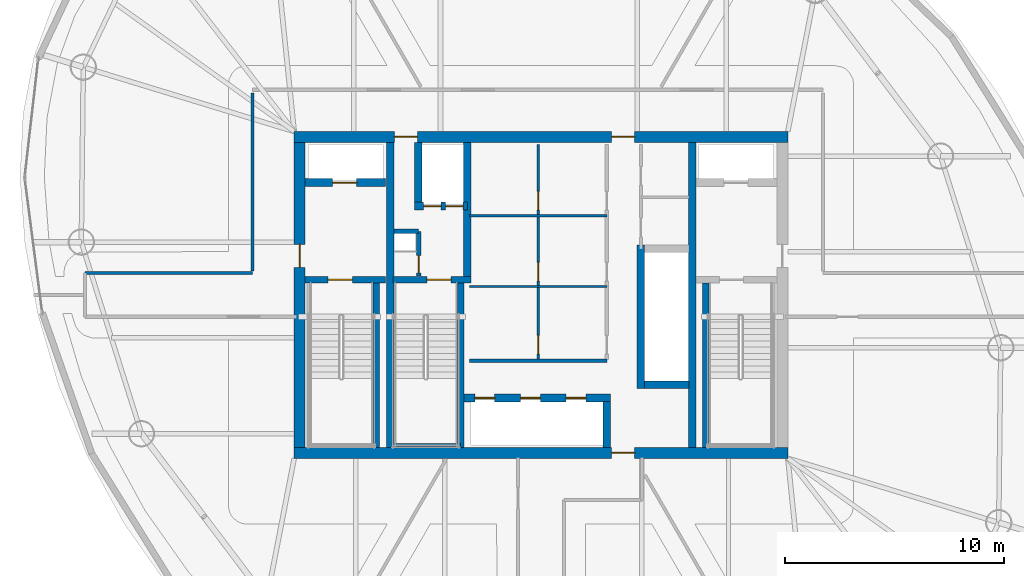
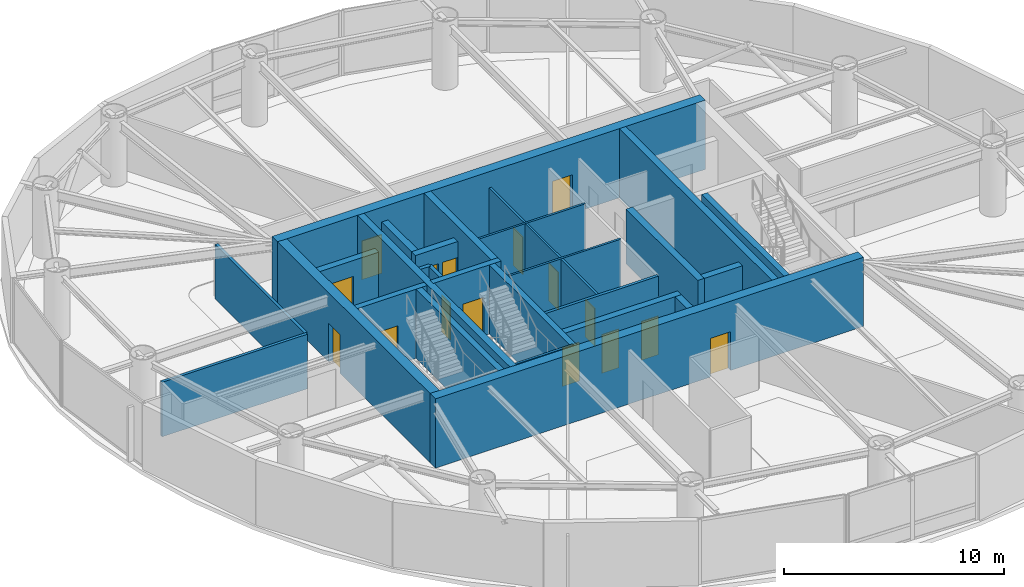
# One storey, part 14 of 20: 27 walls, 16 doors, 16 openings.
"""IFC4 building model written with IfcOpenShell, lengths in metres."""

from ifc_helpers import new_model, si_unit, direction, frame, frame_2d, origin, place, context, subcontext, project, spatial, rectangle, extrude, material, layer, layer_set, type_object, element, fill, save


model = new_model("IFC4")

# Units and contexts
model_context = context("Model", 3, precision=1e-05, world=origin(), true_north=direction((0.0, 1.0)))
body_context = subcontext(model_context, "Body", "Model", "MODEL_VIEW")
ifc_project = project(units=[si_unit("LENGTHUNIT", "METRE"), si_unit("AREAUNIT", "SQUARE_METRE"), si_unit("VOLUMEUNIT", "CUBIC_METRE"), si_unit("PLANEANGLEUNIT", "RADIAN"), si_unit("MASSUNIT", "GRAM", prefix="KILO")], contexts=[model_context])

# Site, building, storey
site_placement = place(None, origin())
site = spatial("IfcSite", under=ifc_project, at=site_placement, CompositionType="ELEMENT")
building_placement = place(site_placement, origin())
building = spatial("IfcBuilding", under=site, at=building_placement, Name="Bramvorn Convention Spire", CompositionType="ELEMENT")
storey_placement = place(building_placement, frame((0.0, 0.0, 175.050048828125)))
storey = spatial("IfcBuildingStorey", under=building, at=storey_placement, Name="L44", CompositionType="ELEMENT", Elevation=175.050048828125)

# Wall, opening, door
ifc_material_1 = material(Name="Concrete C50/60", Category="concrete")
ifc_layer_1 = layer(ifc_material_1, 0.5)
ifc_layer_set_1 = layer_set([ifc_layer_1], Name="Concrete C50/60 - WL-CORE-500")
wall_type_1 = type_object("IfcWallType", Name="WL-CORE-500", PredefinedType="SHEAR", material=ifc_layer_set_1)
wall_1_placement = place(storey_placement, frame((26.75, 18.800048828125, 0.0), z_axis=(0.0, 0.0, 1.0), x_axis=(1.0, 0.0, 0.0)))
wall_1 = element("IfcWall", 1, at=wall_1_placement, inside=storey, type_object=wall_type_1, Name="L44 South RC core shear wall", PredefinedType="SHEAR", context=body_context, shape_type="SweptSolid", body=[
    extrude(rectangle(XDim=22.5, YDim=0.5, at=frame_2d((11.25, 0.0))), origin(), (0.0, 0.0, 1.0), 3.849853515625),
])
opening_1_placement = place(wall_1_placement, frame((14.469970703125, 0.0, 0.0)))
opening_1 = element("IfcOpeningElement", 2, at=opening_1_placement, cuts=wall_1, Name="Opening DL-105", PredefinedType="OPENING", context=body_context, shape_type="SweptSolid", body=[
    extrude(rectangle(XDim=1.050048828125, YDim=2.14990234375, at=frame_2d((0.52490234375, 1.074951171875))), frame((0.0, 0.260009765625, 0.0), z_axis=(0.0, -1.0, 0.0), x_axis=(1.0, 0.0, 0.0)), (0.0, 0.0, 1.0), 0.52001953125),
])
ifc_material_2 = material(Name="Smoke-Sealed Fire Lobby Timber-Core Door", Category="wood")
door_type_1 = type_object("IfcDoorType", Name="DR-LOBBY-1050", OperationType="NOTDEFINED", PredefinedType="DOOR", material=ifc_material_2)
door_1_placement = place(opening_1_placement, origin())
door_1 = element("IfcDoor", 3, at=door_1_placement, inside=storey, type_object=door_type_1, Name="L44 South Lift Lobby fire door", OperationType="SINGLE_SWING_RIGHT", OverallHeight=2.14990234375, OverallWidth=1.050048828125, PredefinedType="DOOR", context=body_context, shape_type="SweptSolid", body=[
    extrude(rectangle(XDim=1.050048828125, YDim=2.14990234375, at=frame_2d((0.52490234375, 1.074951171875))), frame((0.0, 0.02490234375, 0.0), z_axis=(0.0, -1.0, 0.0), x_axis=(1.0, 0.0, 0.0)), (0.0, 0.0, 1.0), 0.050048828125),
])
fill(opening_1, door_1)

# Wall, openings, doors
wall_2_placement = place(storey_placement, frame((26.75, 33.199951171875, 0.0), z_axis=(0.0, 0.0, 1.0), x_axis=(1.0, 0.0, 0.0)))
wall_2 = element("IfcWall", 4, at=wall_2_placement, inside=storey, type_object=wall_type_1, Name="L44 North RC core shear wall", PredefinedType="SHEAR", context=body_context, shape_type="SweptSolid", body=[
    extrude(rectangle(XDim=22.5, YDim=0.5, at=frame_2d((11.25, 0.0))), origin(), (0.0, 0.0, 1.0), 3.849853515625),
])
opening_2_placement = place(wall_2_placement, frame((4.570068359375, 0.0, 0.0)))
opening_2 = element("IfcOpeningElement", 5, at=opening_2_placement, cuts=wall_2, Name="Opening DL-105", PredefinedType="OPENING", context=body_context, shape_type="SweptSolid", body=[
    extrude(rectangle(XDim=1.050048828125, YDim=2.14990234375, at=frame_2d((0.52490234375, 1.074951171875))), frame((0.0, 0.260009765625, 0.0), z_axis=(0.0, -1.0, 0.0), x_axis=(1.0, 0.0, 0.0)), (0.0, 0.0, 1.0), 0.52001953125),
])
opening_3_placement = place(wall_2_placement, frame((14.469970703125, 0.0, 0.0)))
opening_3 = element("IfcOpeningElement", 6, at=opening_3_placement, cuts=wall_2, Name="Opening DL-105", PredefinedType="OPENING", context=body_context, shape_type="SweptSolid", body=[
    extrude(rectangle(XDim=1.050048828125, YDim=2.14990234375, at=frame_2d((0.52490234375, 1.074951171875))), frame((0.0, 0.260009765625, 0.0), z_axis=(0.0, -1.0, 0.0), x_axis=(1.0, 0.0, 0.0)), (0.0, 0.0, 1.0), 0.52001953125),
])
door_2_placement = place(opening_2_placement, origin())
door_2 = element("IfcDoor", 7, at=door_2_placement, inside=storey, type_object=door_type_1, Name="L44 Service & Stair ST3 Lobby north corridor door", OperationType="SINGLE_SWING_LEFT", OverallHeight=2.14990234375, OverallWidth=1.050048828125, PredefinedType="DOOR", context=body_context, shape_type="SweptSolid", body=[
    extrude(rectangle(XDim=1.050048828125, YDim=2.14990234375, at=frame_2d((0.52490234375, 1.074951171875))), frame((0.0, 0.02490234375, 0.0), z_axis=(0.0, -1.0, 0.0), x_axis=(1.0, 0.0, 0.0)), (0.0, 0.0, 1.0), 0.050048828125),
])
fill(opening_2, door_2)
door_3_placement = place(opening_3_placement, origin())
door_3 = element("IfcDoor", 8, at=door_3_placement, inside=storey, type_object=door_type_1, Name="L44 North Lift Lobby fire door", OperationType="SINGLE_SWING_LEFT", OverallHeight=2.14990234375, OverallWidth=1.050048828125, PredefinedType="DOOR", context=body_context, shape_type="SweptSolid", body=[
    extrude(rectangle(XDim=1.050048828125, YDim=2.14990234375, at=frame_2d((0.52490234375, 1.074951171875))), frame((0.0, 0.02490234375, 0.0), z_axis=(0.0, -1.0, 0.0), x_axis=(1.0, 0.0, 0.0)), (0.0, 0.0, 1.0), 0.050048828125),
])
fill(opening_3, door_3)

# Wall, opening, door
wall_3_placement = place(storey_placement, frame((27.0, 19.050048828125, 0.0), z_axis=(0.0, 0.0, 1.0), x_axis=(0.0, 1.0, 0.0)))
wall_3 = element("IfcWall", 9, at=wall_3_placement, inside=storey, type_object=wall_type_1, Name="L44 West RC core shear wall", PredefinedType="SHEAR", context=body_context, shape_type="SweptSolid", body=[
    extrude(rectangle(XDim=13.89990234375, YDim=0.5, at=frame_2d((6.949951171875, 0.0))), origin(), (0.0, 0.0, 1.0), 3.849853515625),
])
opening_4_placement = place(wall_3_placement, frame((8.199951171875, 0.0, 0.0)))
opening_4 = element("IfcOpeningElement", 10, at=opening_4_placement, cuts=wall_3, Name="Opening DL-105", PredefinedType="OPENING", context=body_context, shape_type="SweptSolid", body=[
    extrude(rectangle(XDim=1.050048828125, YDim=2.14990234375, at=frame_2d((0.52490234375, 1.074951171875))), frame((0.0, 0.260009765625, 0.0), z_axis=(0.0, -1.0, 0.0), x_axis=(1.0, 0.0, 0.0)), (0.0, 0.0, 1.0), 0.52001953125),
])
door_4_placement = place(opening_4_placement, origin())
door_4 = element("IfcDoor", 11, at=door_4_placement, inside=storey, type_object=door_type_1, Name="L44 West Firefighting Lobby corridor door", OperationType="SINGLE_SWING_RIGHT", OverallHeight=2.14990234375, OverallWidth=1.050048828125, PredefinedType="DOOR", context=body_context, shape_type="SweptSolid", body=[
    extrude(rectangle(XDim=1.050048828125, YDim=2.14990234375, at=frame_2d((0.52490234375, 1.074951171875))), frame((0.0, 0.02490234375, 0.0), z_axis=(0.0, -1.0, 0.0), x_axis=(1.0, 0.0, 0.0)), (0.0, 0.0, 1.0), 0.050048828125),
])
fill(opening_4, door_4)

# Walls
ifc_layer_2 = layer(ifc_material_1, 0.35009765625)
ifc_layer_set_2 = layer_set([ifc_layer_2], Name="Concrete C50/60 - WL-CORE-INT-350")
wall_type_2 = type_object("IfcWallType", Name="WL-CORE-INT-350", PredefinedType="SHEAR", material=ifc_layer_set_2)
for number, where, z_axis, x_axis, name in (
    (12, (31.1298828125, 19.050048828125, 0.0), (0.0, 0.0, 1.0), (0.0, 1.0, 0.0), "L44 West internal core shear web"),
    (13, (44.89990234375, 19.050048828125, 0.0), (0.0, 0.0, 1.0), (0.0, 1.0, 0.0), "L44 East internal core shear web"),
):
    element("IfcWall", number, at=place(storey_placement, frame(where, z_axis=z_axis, x_axis=x_axis)), inside=storey, type_object=wall_type_2, Name=name, PredefinedType="SHEAR", context=body_context, shape_type="SweptSolid", body=[
        extrude(rectangle(XDim=13.89990234375, YDim=0.35009765625, at=frame_2d((6.949951171875, 0.0))), origin(), (0.0, 0.0, 1.0), 3.849853515625),
    ])

# Wall, opening, door
wall_4_placement = place(storey_placement, frame((27.25, 31.1201171875, 0.0), z_axis=(0.0, 0.0, 1.0), x_axis=(1.0, 0.0, 0.0)))
wall_4 = element("IfcWall", 14, at=wall_4_placement, inside=storey, type_object=wall_type_2, Name="L44 FE1 shaft front wall", PredefinedType="SHEAR", context=body_context, shape_type="SweptSolid", body=[
    extrude(rectangle(XDim=3.669921875, YDim=0.35009765625, at=frame_2d((1.8349609375, 0.0))), origin(), (0.0, 0.0, 1.0), 3.034912109375),
])
opening_5_placement = place(wall_4_placement, frame((1.25, 0.0, 0.0)))
opening_5 = element("IfcOpeningElement", 15, at=opening_5_placement, cuts=wall_4, Name="Opening LD-110", PredefinedType="OPENING", context=body_context, shape_type="SweptSolid", body=[
    extrude(rectangle(XDim=1.10009765625, YDim=2.14990234375, at=frame_2d((0.550048828125, 1.074951171875))), frame((0.0, 0.18505859375, 0.0), z_axis=(0.0, -1.0, 0.0), x_axis=(1.0, 0.0, 0.0)), (0.0, 0.0, 1.0), 0.3701171875),
])
ifc_material_3 = material(Name="Firefighting & Service Lift Sliding Landing Door", Category="steel")
door_type_2 = type_object("IfcDoorType", Name="DR-LIFT-LD-1100", OperationType="NOTDEFINED", PredefinedType="DOOR", material=ifc_material_3)
door_5_placement = place(opening_5_placement, origin())
door_5 = element("IfcDoor", 16, at=door_5_placement, inside=storey, type_object=door_type_2, Name="L44 Lift FE1 Sliding Landing Door", OperationType="SLIDING_TO_LEFT", OverallHeight=2.14990234375, OverallWidth=1.10009765625, PredefinedType="DOOR", context=body_context, shape_type="SweptSolid", body=[
    extrude(rectangle(XDim=1.10009765625, YDim=2.14990234375, at=frame_2d((0.550048828125, 1.074951171875))), frame((0.0, 0.02490234375, 0.0), z_axis=(0.0, -1.0, 0.0), x_axis=(1.0, 0.0, 0.0)), (0.0, 0.0, 1.0), 0.050048828125),
])
fill(opening_5, door_5)

# Wall
wall_5_placement = place(storey_placement, frame((34.639892578125, 26.68994140625, 0.0), z_axis=(0.0, 0.0, 1.0), x_axis=(0.0, 1.0, 0.0)))
element("IfcWall", 17, at=wall_5_placement, inside=storey, type_object=wall_type_2, Name="L44 SV east core shaft wall", PredefinedType="SHEAR", context=body_context, shape_type="SweptSolid", body=[
    extrude(rectangle(XDim=6.260009765625, YDim=0.35009765625, at=frame_2d((3.1298828125, 0.0))), origin(), (0.0, 0.0, 1.0), 3.849853515625),
])

# Wall, openings, doors
wall_6_placement = place(storey_placement, frame((32.22998046875, 30.050048828125, 0.0), z_axis=(0.0, 0.0, 1.0), x_axis=(1.0, 0.0, 0.0)))
wall_6 = element("IfcWall", 18, at=wall_6_placement, inside=storey, type_object=wall_type_2, Name="L44 SV1/SV2 shaft front wall", PredefinedType="SHEAR", context=body_context, shape_type="SweptSolid", body=[
    extrude(rectangle(XDim=2.409912109375, YDim=0.35009765625, at=frame_2d((1.205078125, 0.0))), origin(), (0.0, 0.0, 1.0), 3.034912109375),
])
opening_6_placement = place(wall_6_placement, frame((0.419921875, 0.0, 0.0)))
opening_6 = element("IfcOpeningElement", 19, at=opening_6_placement, cuts=wall_6, Name="Opening LD-080", PredefinedType="OPENING", context=body_context, shape_type="SweptSolid", body=[
    extrude(rectangle(XDim=0.800048828125, YDim=2.14990234375, at=frame_2d((0.39990234375, 1.074951171875))), frame((0.0, 0.18505859375, 0.0), z_axis=(0.0, -1.0, 0.0), x_axis=(1.0, 0.0, 0.0)), (0.0, 0.0, 1.0), 0.3701171875),
])
opening_7_placement = place(wall_6_placement, frame((1.419921875, 0.0, 0.0)))
opening_7 = element("IfcOpeningElement", 20, at=opening_7_placement, cuts=wall_6, Name="Opening LD-080", PredefinedType="OPENING", context=body_context, shape_type="SweptSolid", body=[
    extrude(rectangle(XDim=0.800048828125, YDim=2.14990234375, at=frame_2d((0.39990234375, 1.074951171875))), frame((0.0, 0.18505859375, 0.0), z_axis=(0.0, -1.0, 0.0), x_axis=(1.0, 0.0, 0.0)), (0.0, 0.0, 1.0), 0.3701171875),
])
ifc_material_4 = material(Name="Service Lift Bi-Parting Landing Door", Category="steel")
door_type_3 = type_object("IfcDoorType", Name="DR-LIFT-LD-800", OperationType="NOTDEFINED", PredefinedType="DOOR", material=ifc_material_4)
door_6_placement = place(opening_6_placement, origin())
door_6 = element("IfcDoor", 21, at=door_6_placement, inside=storey, type_object=door_type_3, Name="L44 Lift SV1 Sliding Landing Door", OperationType="SLIDING_TO_LEFT", OverallHeight=2.14990234375, OverallWidth=0.800048828125, PredefinedType="DOOR", context=body_context, shape_type="SweptSolid", body=[
    extrude(rectangle(XDim=0.800048828125, YDim=2.14990234375, at=frame_2d((0.39990234375, 1.074951171875))), frame((0.0, 0.02490234375, 0.0), z_axis=(0.0, -1.0, 0.0), x_axis=(1.0, 0.0, 0.0)), (0.0, 0.0, 1.0), 0.050048828125),
])
fill(opening_6, door_6)
door_7_placement = place(opening_7_placement, origin())
door_7 = element("IfcDoor", 22, at=door_7_placement, inside=storey, type_object=door_type_3, Name="L44 Lift SV2 Sliding Landing Door", OperationType="SLIDING_TO_LEFT", OverallHeight=2.14990234375, OverallWidth=0.800048828125, PredefinedType="DOOR", context=body_context, shape_type="SweptSolid", body=[
    extrude(rectangle(XDim=0.800048828125, YDim=2.14990234375, at=frame_2d((0.39990234375, 1.074951171875))), frame((0.0, 0.02490234375, 0.0), z_axis=(0.0, -1.0, 0.0), x_axis=(1.0, 0.0, 0.0)), (0.0, 0.0, 1.0), 0.050048828125),
])
fill(opening_7, door_7)

# Walls
wall_7_placement = place(storey_placement, frame((32.39990234375, 30.219970703125, 0.0), z_axis=(0.0, 0.0, 1.0), x_axis=(0.0, 1.0, 0.0)))
element("IfcWall", 23, at=wall_7_placement, inside=storey, type_object=wall_type_2, Name="L44 SV1 west hoistway wall", PredefinedType="SHEAR", context=body_context, shape_type="SweptSolid", body=[
    extrude(rectangle(XDim=2.72998046875, YDim=0.35009765625, at=frame_2d((1.364990234375, 0.0))), origin(), (0.0, 0.0, 1.0), 3.034912109375),
])
wall_8_placement = place(storey_placement, frame((42.550048828125, 21.72998046875, 0.0), z_axis=(0.0, 0.0, 1.0), x_axis=(0.0, 1.0, 0.0)))
element("IfcWall", 24, at=wall_8_placement, inside=storey, type_object=wall_type_2, Name="L44 High-rise lift bank west wall", PredefinedType="SHEAR", context=body_context, shape_type="SweptSolid", body=[
    extrude(rectangle(XDim=6.5400390625, YDim=0.35009765625, at=frame_2d((3.27001953125, 0.0))), origin(), (0.0, 0.0, 1.0), 3.034912109375),
])
wall_9_placement = place(storey_placement, frame((42.719970703125, 21.89990234375, 0.0), z_axis=(0.0, 0.0, 1.0), x_axis=(1.0, 0.0, 0.0)))
element("IfcWall", 25, at=wall_9_placement, inside=storey, type_object=wall_type_2, Name="L44 High-rise lift bank south wall", PredefinedType="SHEAR", context=body_context, shape_type="SweptSolid", body=[
    extrude(rectangle(XDim=2.030029296875, YDim=0.35009765625, at=frame_2d((1.01513671875, 0.0))), origin(), (0.0, 0.0, 1.0), 3.034912109375),
])

# Wall, openings, doors
wall_10_placement = place(storey_placement, frame((34.489990234375, 21.300048828125, 0.0), z_axis=(0.0, 0.0, 1.0), x_axis=(1.0, 0.0, 0.0)))
wall_10 = element("IfcWall", 26, at=wall_10_placement, inside=storey, type_object=wall_type_2, Name="L44 Mid-rise bank north landing wall", PredefinedType="SHEAR", context=body_context, shape_type="SweptSolid", body=[
    extrude(rectangle(XDim=6.679931640625, YDim=0.35009765625, at=frame_2d((3.33984375, 0.0))), origin(), (0.0, 0.0, 1.0), 3.034912109375),
])
opening_8_placement = place(wall_10_placement, frame((0.5, 0.0, 0.0)))
opening_8 = element("IfcOpeningElement", 27, at=opening_8_placement, cuts=wall_10, Name="Opening LD-090", PredefinedType="OPENING", context=body_context, shape_type="SweptSolid", body=[
    extrude(rectangle(XDim=0.89990234375, YDim=2.14990234375, at=frame_2d((0.449951171875, 1.074951171875))), frame((0.0, 0.18505859375, 0.0), z_axis=(0.0, -1.0, 0.0), x_axis=(1.0, 0.0, 0.0)), (0.0, 0.0, 1.0), 0.3701171875),
])
opening_9_placement = place(wall_10_placement, frame((2.580078125, 0.0, 0.0)))
opening_9 = element("IfcOpeningElement", 28, at=opening_9_placement, cuts=wall_10, Name="Opening LD-090", PredefinedType="OPENING", context=body_context, shape_type="SweptSolid", body=[
    extrude(rectangle(XDim=0.89990234375, YDim=2.14990234375, at=frame_2d((0.449951171875, 1.074951171875))), frame((0.0, 0.18505859375, 0.0), z_axis=(0.0, -1.0, 0.0), x_axis=(1.0, 0.0, 0.0)), (0.0, 0.0, 1.0), 0.3701171875),
])
opening_10_placement = place(wall_10_placement, frame((4.659912109375, 0.0, 0.0)))
opening_10 = element("IfcOpeningElement", 29, at=opening_10_placement, cuts=wall_10, Name="Opening LD-090", PredefinedType="OPENING", context=body_context, shape_type="SweptSolid", body=[
    extrude(rectangle(XDim=0.89990234375, YDim=2.14990234375, at=frame_2d((0.449951171875, 1.074951171875))), frame((0.0, 0.18505859375, 0.0), z_axis=(0.0, -1.0, 0.0), x_axis=(1.0, 0.0, 0.0)), (0.0, 0.0, 1.0), 0.3701171875),
])
ifc_material_5 = material(Name="Bi-Parting Fire-Rated Lift Landing Door", Category="steel")
door_type_4 = type_object("IfcDoorType", Name="DR-LIFT-LD-900", OperationType="NOTDEFINED", PredefinedType="DOOR", material=ifc_material_5)
door_8_placement = place(opening_8_placement, origin())
door_8 = element("IfcDoor", 30, at=door_8_placement, inside=storey, type_object=door_type_4, Name="L44 Lift PM1 Sliding Landing Door", OperationType="SLIDING_TO_LEFT", OverallHeight=2.14990234375, OverallWidth=0.89990234375, PredefinedType="DOOR", context=body_context, shape_type="SweptSolid", body=[
    extrude(rectangle(XDim=0.89990234375, YDim=2.14990234375, at=frame_2d((0.449951171875, 1.074951171875))), frame((0.0, 0.02490234375, 0.0), z_axis=(0.0, -1.0, 0.0), x_axis=(1.0, 0.0, 0.0)), (0.0, 0.0, 1.0), 0.050048828125),
])
fill(opening_8, door_8)
door_9_placement = place(opening_9_placement, origin())
door_9 = element("IfcDoor", 31, at=door_9_placement, inside=storey, type_object=door_type_4, Name="L44 Lift PM2 Sliding Landing Door", OperationType="SLIDING_TO_LEFT", OverallHeight=2.14990234375, OverallWidth=0.89990234375, PredefinedType="DOOR", context=body_context, shape_type="SweptSolid", body=[
    extrude(rectangle(XDim=0.89990234375, YDim=2.14990234375, at=frame_2d((0.449951171875, 1.074951171875))), frame((0.0, 0.02490234375, 0.0), z_axis=(0.0, -1.0, 0.0), x_axis=(1.0, 0.0, 0.0)), (0.0, 0.0, 1.0), 0.050048828125),
])
fill(opening_9, door_9)
door_10_placement = place(opening_10_placement, origin())
door_10 = element("IfcDoor", 32, at=door_10_placement, inside=storey, type_object=door_type_4, Name="L44 Lift PM3 Sliding Landing Door", OperationType="SLIDING_TO_LEFT", OverallHeight=2.14990234375, OverallWidth=0.89990234375, PredefinedType="DOOR", context=body_context, shape_type="SweptSolid", body=[
    extrude(rectangle(XDim=0.89990234375, YDim=2.14990234375, at=frame_2d((0.449951171875, 1.074951171875))), frame((0.0, 0.02490234375, 0.0), z_axis=(0.0, -1.0, 0.0), x_axis=(1.0, 0.0, 0.0)), (0.0, 0.0, 1.0), 0.050048828125),
])
fill(opening_10, door_10)

# Wall
wall_11_placement = place(storey_placement, frame((41.0, 19.050048828125, 0.0), z_axis=(0.0, 0.0, 1.0), x_axis=(0.0, 1.0, 0.0)))
element("IfcWall", 33, at=wall_11_placement, inside=storey, type_object=wall_type_2, Name="L44 Mid-rise bank east cheek wall", PredefinedType="SHEAR", context=body_context, shape_type="SweptSolid", body=[
    extrude(rectangle(XDim=2.079833984375, YDim=0.35009765625, at=frame_2d((1.0400390625, 0.0))), origin(), (0.0, 0.0, 1.0), 3.034912109375),
])

# Wall, openings, doors
ifc_material_6 = material(Name="Lightweight En-Suite & Wet-Wall Partition", Category="gypsum")
ifc_layer_3 = layer(ifc_material_6, 0.110107421875)
ifc_layer_set_3 = layer_set([ifc_layer_3], Name="Lightweight En-Suite & Wet-Wall Partition - WL-PART-110")
wall_type_3 = type_object("IfcWallType", Name="WL-PART-110", PredefinedType="PARTITIONING", material=ifc_layer_set_3)
wall_12_placement = place(storey_placement, frame((37.8798828125, 23.050048828125, 0.0), z_axis=(0.0, 0.0, 1.0), x_axis=(0.0, 1.0, 0.0)))
wall_12 = element("IfcWall", 34, at=wall_12_placement, inside=storey, type_object=wall_type_3, Name="L44 KB center wall", PredefinedType="PARTITIONING", context=body_context, shape_type="SweptSolid", body=[
    extrude(rectangle(XDim=9.800048828125, YDim=0.110107421875, at=frame_2d((4.89990234375, 0.0))), origin(), (0.0, 0.0, 1.0), 3.034912109375),
])
opening_11_placement = place(wall_12_placement, frame((0.25, 0.0, 0.0)))
opening_11 = element("IfcOpeningElement", 35, at=opening_11_placement, cuts=wall_12, Name="Opening DC-085", PredefinedType="OPENING", context=body_context, shape_type="SweptSolid", body=[
    extrude(rectangle(XDim=0.85009765625, YDim=2.10009765625, at=frame_2d((0.425048828125, 1.050048828125))), frame((0.0, 0.06494140625, 0.0), z_axis=(0.0, -1.0, 0.0), x_axis=(1.0, 0.0, 0.0)), (0.0, 0.0, 1.0), 0.130126953125),
])
opening_12_placement = place(wall_12_placement, frame((3.58203125, 0.0, 0.0)))
opening_12 = element("IfcOpeningElement", 36, at=opening_12_placement, cuts=wall_12, Name="Opening DC-085", PredefinedType="OPENING", context=body_context, shape_type="SweptSolid", body=[
    extrude(rectangle(XDim=0.85009765625, YDim=2.10009765625, at=frame_2d((0.425048828125, 1.050048828125))), frame((0.0, 0.06494140625, 0.0), z_axis=(0.0, -1.0, 0.0), x_axis=(1.0, 0.0, 0.0)), (0.0, 0.0, 1.0), 0.130126953125),
])
opening_13_placement = place(wall_12_placement, frame((6.81591796875, 0.0, 0.0)))
opening_13 = element("IfcOpeningElement", 37, at=opening_13_placement, cuts=wall_12, Name="Opening DC-085", PredefinedType="OPENING", context=body_context, shape_type="SweptSolid", body=[
    extrude(rectangle(XDim=0.85009765625, YDim=2.10009765625, at=frame_2d((0.425048828125, 1.050048828125))), frame((0.0, 0.06494140625, 0.0), z_axis=(0.0, -1.0, 0.0), x_axis=(1.0, 0.0, 0.0)), (0.0, 0.0, 1.0), 0.130126953125),
])
ifc_material_7 = material(Name="Fire-Rated Core Washroom & IDF Door", Category="wood")
door_type_5 = type_object("IfcDoorType", Name="DR-CORE-850", OperationType="NOTDEFINED", PredefinedType="DOOR", material=ifc_material_7)
door_11_placement = place(opening_11_placement, origin())
door_11 = element("IfcDoor", 38, at=door_11_placement, inside=storey, type_object=door_type_5, Name="L44 Core Linen Store door", OperationType="SINGLE_SWING_LEFT", OverallHeight=2.10009765625, OverallWidth=0.85009765625, PredefinedType="DOOR", context=body_context, shape_type="SweptSolid", body=[
    extrude(rectangle(XDim=0.85009765625, YDim=2.10009765625, at=frame_2d((0.425048828125, 1.050048828125))), frame((0.0, 0.02490234375, 0.0), z_axis=(0.0, -1.0, 0.0), x_axis=(1.0, 0.0, 0.0)), (0.0, 0.0, 1.0), 0.050048828125),
])
fill(opening_11, door_11)
door_12_placement = place(opening_12_placement, origin())
door_12 = element("IfcDoor", 39, at=door_12_placement, inside=storey, type_object=door_type_5, Name="L44 Core Metering Closet door", OperationType="SINGLE_SWING_LEFT", OverallHeight=2.10009765625, OverallWidth=0.85009765625, PredefinedType="DOOR", context=body_context, shape_type="SweptSolid", body=[
    extrude(rectangle(XDim=0.85009765625, YDim=2.10009765625, at=frame_2d((0.425048828125, 1.050048828125))), frame((0.0, 0.02490234375, 0.0), z_axis=(0.0, -1.0, 0.0), x_axis=(1.0, 0.0, 0.0)), (0.0, 0.0, 1.0), 0.050048828125),
])
fill(opening_12, door_12)
door_13_placement = place(opening_13_placement, origin())
door_13 = element("IfcDoor", 40, at=door_13_placement, inside=storey, type_object=door_type_5, Name="L44 Core Janitor Supply door", OperationType="SINGLE_SWING_LEFT", OverallHeight=2.10009765625, OverallWidth=0.85009765625, PredefinedType="DOOR", context=body_context, shape_type="SweptSolid", body=[
    extrude(rectangle(XDim=0.85009765625, YDim=2.10009765625, at=frame_2d((0.425048828125, 1.050048828125))), frame((0.0, 0.02490234375, 0.0), z_axis=(0.0, -1.0, 0.0), x_axis=(1.0, 0.0, 0.0)), (0.0, 0.0, 1.0), 0.050048828125),
])
fill(opening_13, door_13)

# Walls
for number, where, z_axis, x_axis, name in (
    (41, (34.75, 26.382080078125, 0.0), (0.0, 0.0, 1.0), (1.0, 0.0, 0.0), "L44 KB divider 1"),
    (42, (34.75, 29.615966796875, 0.0), (0.0, 0.0, 1.0), (1.0, 0.0, 0.0), "L44 KB divider 2"),
):
    element("IfcWall", number, at=place(storey_placement, frame(where, z_axis=z_axis, x_axis=x_axis)), inside=storey, type_object=wall_type_3, Name=name, PredefinedType="PARTITIONING", context=body_context, shape_type="SweptSolid", body=[
        extrude(rectangle(XDim=6.25, YDim=0.110107421875, at=frame_2d((3.125, 0.0))), origin(), (0.0, 0.0, 1.0), 3.034912109375),
    ])
ifc_material_8 = material(Name="Acoustic Metal-Stud Tenant/Corridor Partition", Category="gypsum")
ifc_layer_4 = layer(ifc_material_8, 0.14990234375)
ifc_layer_set_4 = layer_set([ifc_layer_4], Name="Acoustic Metal-Stud Tenant/Corridor Partition - WL-PART-150")
wall_type_4 = type_object("IfcWallType", Name="WL-PART-150", PredefinedType="PARTITIONING", material=ifc_layer_set_4)
wall_13_placement = place(storey_placement, frame((34.75, 23.0, 0.0), z_axis=(0.0, 0.0, 1.0), x_axis=(1.0, 0.0, 0.0)))
element("IfcWall", 43, at=wall_13_placement, inside=storey, type_object=wall_type_4, Name="L44 Mid-rise lift vestibule north wall", PredefinedType="PARTITIONING", context=body_context, shape_type="SweptSolid", body=[
    extrude(rectangle(XDim=6.25, YDim=0.14990234375, at=frame_2d((3.125, 0.0))), origin(), (0.0, 0.0, 1.0), 3.034912109375),
])
wall_14_placement = place(storey_placement, frame((24.85009765625, 27.080078125, 0.0), z_axis=(0.0, 0.0, 1.0), x_axis=(0.0, 1.0, 0.0)))
element("IfcWall", 44, at=wall_14_placement, inside=storey, type_object=wall_type_4, Name="L44 NW gallery cheek", PredefinedType="PARTITIONING", context=body_context, shape_type="SweptSolid", body=[
    extrude(rectangle(XDim=8.119873046875, YDim=0.14990234375, at=frame_2d((4.06005859375, 0.0))), origin(), (0.0, 0.0, 1.0), 3.034912109375),
])
wall_15_placement = place(storey_placement, frame((17.2138671875, 27.0, 0.0), z_axis=(0.0, 0.0, 1.0), x_axis=(1.0, 0.0, 0.0)))
element("IfcWall", 45, at=wall_15_placement, inside=storey, type_object=wall_type_4, Name="L44 West wing spine north wall", PredefinedType="PARTITIONING", context=body_context, shape_type="SweptSolid", body=[
    extrude(rectangle(XDim=7.63623046875, YDim=0.14990234375, at=frame_2d((3.818115234375, 0.0))), origin(), (0.0, 0.0, 1.0), 3.034912109375),
])

# Wall, opening, door
ifc_material_9 = material(Name="Gypsum Shaftwall & Rockwool Core Partition", Category="gypsum")
ifc_layer_5 = layer(ifc_material_9, 0.199951171875)
ifc_layer_set_5 = layer_set([ifc_layer_5], Name="Gypsum Shaftwall & Rockwool Core Partition - WL-PART-200-FR")
wall_type_5 = type_object("IfcWallType", Name="WL-PART-200-FR", PredefinedType="PARTITIONING", material=ifc_layer_set_5)
wall_16_placement = place(storey_placement, frame((32.419921875, 26.860107421875, 0.0), z_axis=(0.0, 0.0, 1.0), x_axis=(0.0, 1.0, 0.0)))
wall_16 = element("IfcWall", 46, at=wall_16_placement, inside=storey, type_object=wall_type_5, Name="L44 Telecom riser east wall", PredefinedType="PARTITIONING", context=body_context, shape_type="SweptSolid", body=[
    extrude(rectangle(XDim=2.039794921875, YDim=0.199951171875, at=frame_2d((1.02001953125, 0.0))), origin(), (0.0, 0.0, 1.0), 3.034912109375),
])
opening_14_placement = place(wall_16_placement, frame((0.139892578125, 0.0, 0.0)))
opening_14 = element("IfcOpeningElement", 47, at=opening_14_placement, cuts=wall_16, Name="Opening DR-080", PredefinedType="OPENING", context=body_context, shape_type="SweptSolid", body=[
    extrude(rectangle(XDim=0.800048828125, YDim=2.050048828125, at=frame_2d((0.39990234375, 1.02490234375))), frame((0.0, 0.10986328125, 0.0), z_axis=(0.0, -1.0, 0.0), x_axis=(1.0, 0.0, 0.0)), (0.0, 0.0, 1.0), 0.219970703125),
])
ifc_material_10 = material(Name="Flush Steel Riser Access Door", Category="steel")
door_type_6 = type_object("IfcDoorType", Name="DR-RISER-800", OperationType="NOTDEFINED", PredefinedType="DOOR", material=ifc_material_10)
door_14_placement = place(opening_14_placement, origin())
door_14 = element("IfcDoor", 48, at=door_14_placement, inside=storey, type_object=door_type_6, Name="L44 Telecom riser access door", OperationType="SINGLE_SWING_RIGHT", OverallHeight=2.050048828125, OverallWidth=0.800048828125, PredefinedType="DOOR", context=body_context, shape_type="SweptSolid", body=[
    extrude(rectangle(XDim=0.800048828125, YDim=2.050048828125, at=frame_2d((0.39990234375, 1.02490234375))), frame((0.0, 0.02490234375, 0.0), z_axis=(0.0, -1.0, 0.0), x_axis=(1.0, 0.0, 0.0)), (0.0, 0.0, 1.0), 0.050048828125),
])
fill(opening_14, door_14)

# Wall
wall_17_placement = place(storey_placement, frame((31.300048828125, 28.89990234375, 0.0), z_axis=(0.0, 0.0, 1.0), x_axis=(1.0, 0.0, 0.0)))
element("IfcWall", 49, at=wall_17_placement, inside=storey, type_object=wall_type_5, Name="L44 Telecom riser north wall", PredefinedType="PARTITIONING", context=body_context, shape_type="SweptSolid", body=[
    extrude(rectangle(XDim=1.119873046875, YDim=0.199951171875, at=frame_2d((0.56005859375, 0.0))), origin(), (0.0, 0.0, 1.0), 3.034912109375),
])

# Wall, opening, door
ifc_layer_6 = layer(ifc_material_1, 0.300048828125)
ifc_layer_set_6 = layer_set([ifc_layer_6], Name="Concrete C50/60 - WL-POD-STAIR-300")
wall_type_6 = type_object("IfcWallType", Name="WL-POD-STAIR-300", PredefinedType="SHEAR", material=ifc_layer_set_6)
wall_18_placement = place(storey_placement, frame((27.25, 26.68994140625, 0.0), z_axis=(0.0, 0.0, 1.0), x_axis=(1.0, 0.0, 0.0)))
wall_18 = element("IfcWall", 50, at=wall_18_placement, inside=storey, type_object=wall_type_6, Name="L44 ST1 north fire wall", PredefinedType="SHEAR", context=body_context, shape_type="SweptSolid", body=[
    extrude(rectangle(XDim=3.669921875, YDim=0.300048828125, at=frame_2d((1.8349609375, 0.0))), origin(), (0.0, 0.0, 1.0), 3.849853515625),
])
opening_15_placement = place(wall_18_placement, frame((1.050048828125, 0.0, 0.0)))
opening_15 = element("IfcOpeningElement", 51, at=opening_15_placement, cuts=wall_18, Name="Opening DS-110", PredefinedType="OPENING", context=body_context, shape_type="SweptSolid", body=[
    extrude(rectangle(XDim=1.10009765625, YDim=2.14990234375, at=frame_2d((0.550048828125, 1.074951171875))), frame((0.0, 0.159912109375, 0.0), z_axis=(0.0, -1.0, 0.0), x_axis=(1.0, 0.0, 0.0)), (0.0, 0.0, 1.0), 0.320068359375),
])
ifc_material_11 = material(Name="Fire-Rated Hollow Steel Stairwell Door", Category="steel")
door_type_7 = type_object("IfcDoorType", Name="DR-STAIR-1100", OperationType="NOTDEFINED", PredefinedType="DOOR", material=ifc_material_11)
door_15_placement = place(opening_15_placement, origin())
door_15 = element("IfcDoor", 52, at=door_15_placement, inside=storey, type_object=door_type_7, Name="L44 Stair ST1 fire door", OperationType="SINGLE_SWING_LEFT", OverallHeight=2.14990234375, OverallWidth=1.10009765625, PredefinedType="DOOR", context=body_context, shape_type="SweptSolid", body=[
    extrude(rectangle(XDim=1.10009765625, YDim=2.14990234375, at=frame_2d((0.550048828125, 1.074951171875))), frame((0.0, 0.02490234375, 0.0), z_axis=(0.0, -1.0, 0.0), x_axis=(1.0, 0.0, 0.0)), (0.0, 0.0, 1.0), 0.050048828125),
])
fill(opening_15, door_15)

# Walls
for number, where, z_axis, x_axis, name in (
    (53, (30.489990234375, 19.050048828125, 0.0), (0.0, 0.0, 1.0), (0.0, 1.0, 0.0), "L44 ST1 east bearing wall"),
    (54, (45.510009765625, 19.050048828125, 0.0), (0.0, 0.0, 1.0), (0.0, 1.0, 0.0), "L44 ST2 west bearing wall"),
    (55, (34.340087890625, 19.050048828125, 0.0), (0.0, 0.0, 1.0), (0.0, 1.0, 0.0), "L44 ST3 east bearing wall"),
):
    element("IfcWall", number, at=place(storey_placement, frame(where, z_axis=z_axis, x_axis=x_axis)), inside=storey, type_object=wall_type_6, Name=name, PredefinedType="SHEAR", context=body_context, shape_type="SweptSolid", body=[
        extrude(rectangle(XDim=7.5, YDim=0.300048828125, at=frame_2d((3.75, 0.0))), origin(), (0.0, 0.0, 1.0), 3.849853515625),
    ])

# Wall, opening, door
wall_19_placement = place(storey_placement, frame((31.25, 26.68994140625, 0.0), z_axis=(0.0, 0.0, 1.0), x_axis=(1.0, 0.0, 0.0)))
wall_19 = element("IfcWall", 56, at=wall_19_placement, inside=storey, type_object=wall_type_6, Name="L44 ST3 north lobby wall", PredefinedType="SHEAR", context=body_context, shape_type="SweptSolid", body=[
    extrude(rectangle(XDim=3.56005859375, YDim=0.300048828125, at=frame_2d((1.780029296875, 0.0))), origin(), (0.0, 0.0, 1.0), 3.849853515625),
])
opening_16_placement = place(wall_19_placement, frame((1.550048828125, 0.0, 0.0)))
opening_16 = element("IfcOpeningElement", 57, at=opening_16_placement, cuts=wall_19, Name="Opening DS-110", PredefinedType="OPENING", context=body_context, shape_type="SweptSolid", body=[
    extrude(rectangle(XDim=1.10009765625, YDim=2.14990234375, at=frame_2d((0.550048828125, 1.074951171875))), frame((0.0, 0.159912109375, 0.0), z_axis=(0.0, -1.0, 0.0), x_axis=(1.0, 0.0, 0.0)), (0.0, 0.0, 1.0), 0.320068359375),
])
door_16_placement = place(opening_16_placement, origin())
door_16 = element("IfcDoor", 58, at=door_16_placement, inside=storey, type_object=door_type_7, Name="L44 Stair ST3 fire door", OperationType="SINGLE_SWING_LEFT", OverallHeight=2.14990234375, OverallWidth=1.10009765625, PredefinedType="DOOR", context=body_context, shape_type="SweptSolid", body=[
    extrude(rectangle(XDim=1.10009765625, YDim=2.14990234375, at=frame_2d((0.550048828125, 1.074951171875))), frame((0.0, 0.02490234375, 0.0), z_axis=(0.0, -1.0, 0.0), x_axis=(1.0, 0.0, 0.0)), (0.0, 0.0, 1.0), 0.050048828125),
])
fill(opening_16, door_16)

# Wall
ifc_layer_7 = layer(ifc_material_1, 0.1201171875)
ifc_layer_set_7 = layer_set([ifc_layer_7], Name="Concrete C50/60 - WL-STAIR-RC-120")
wall_type_7 = type_object("IfcWallType", Name="WL-STAIR-RC-120", PredefinedType="SHEAR", material=ifc_layer_set_7)
wall_20_placement = place(storey_placement, frame((31.300048828125, 19.159912109375, 0.0), z_axis=(0.0, 0.0, 1.0), x_axis=(1.0, 0.0, 0.0)))
element("IfcWall", 59, at=wall_20_placement, inside=storey, type_object=wall_type_7, Name="L44 ST3 south bearing shear wall", PredefinedType="SHEAR", context=body_context, shape_type="SweptSolid", body=[
    extrude(rectangle(XDim=3.0400390625, YDim=0.1201171875, at=frame_2d((1.52001953125, 0.0))), origin(), (0.0, 0.0, 1.0), 3.849853515625),
])

save(model, "model.ifc")
